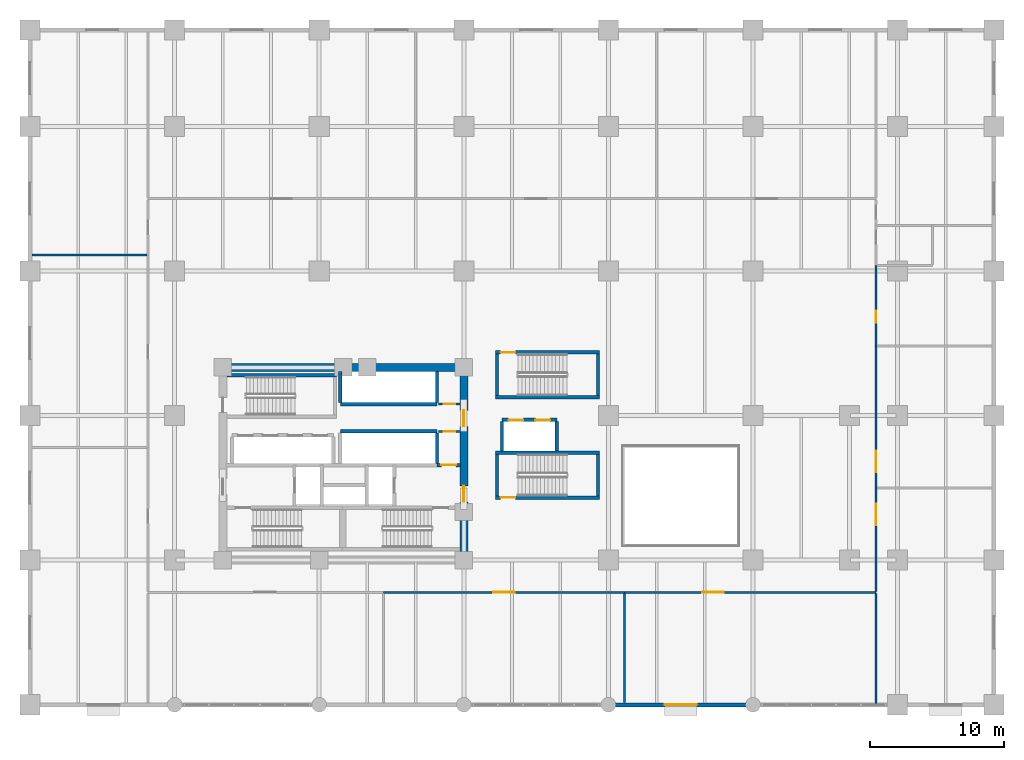
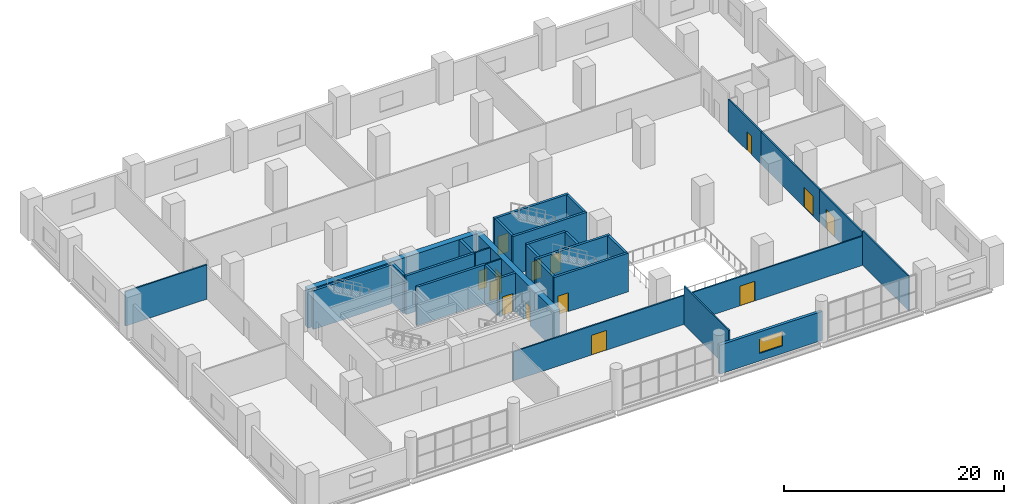
# One storey, part 11 of 16: 31 walls, 14 doors, 1 window, 15 openings.
"""IFC4 building model written with IfcOpenShell, lengths in metres."""

from ifc_helpers import new_model, si_unit, direction, frame, frame_2d, origin, place, context, subcontext, project, spatial, rectangle, extrude, material, layer, layer_set, type_object, element, fill, save


model = new_model("IFC4")

# Units and contexts
model_context = context("Model", 3, precision=1e-05, world=origin(), true_north=direction((0.0, 1.0)))
body_context = subcontext(model_context, "Body", "Model", "MODEL_VIEW")
ifc_project = project(units=[si_unit("LENGTHUNIT", "METRE"), si_unit("AREAUNIT", "SQUARE_METRE"), si_unit("VOLUMEUNIT", "CUBIC_METRE"), si_unit("PLANEANGLEUNIT", "RADIAN"), si_unit("MASSUNIT", "GRAM", prefix="KILO")], contexts=[model_context])

# Site, building, storey
site_placement = place(None, origin())
site = spatial("IfcSite", under=ifc_project, at=site_placement, CompositionType="ELEMENT")
building_placement = place(site_placement, origin())
building = spatial("IfcBuilding", under=site, at=building_placement, Name="Solnavia Interchange Tower", CompositionType="ELEMENT")
storey_placement = place(building_placement, frame((0.0, 0.0, 10.199951171875)))
storey = spatial("IfcBuildingStorey", under=building, at=storey_placement, Name="L02", CompositionType="ELEMENT", Elevation=10.199951171875)

# Wall, opening, window
ifc_material_1 = material(Name="Concrete C40/50", Category="concrete")
ifc_layer_1 = layer(ifc_material_1, 0.300048828125)
ifc_layer_set_1 = layer_set([ifc_layer_1], Name="Concrete C40/50")
wall_type_1 = type_object("IfcWallType", Name="Wall-ExtSpandrel-300", PredefinedType="STANDARD", material=ifc_layer_set_1)
wall_1_placement = place(storey_placement, frame((54.0, 0.0, 0.0), z_axis=(0.0, 0.0, 1.0), x_axis=(-1.0, 0.0, 0.0)))
wall_1 = element("IfcWall", 1, at=wall_1_placement, inside=storey, type_object=wall_type_1, Name="EXW-L02-S05 South podium wall", PredefinedType="STANDARD", context=body_context, shape_type="SweptSolid", body=[
    extrude(rectangle(XDim=10.800048828125, YDim=0.300048828125, at=frame_2d((5.39990234375, 0.0))), origin(), (0.0, 0.0, 1.0), 3.22998046875),
])
opening_1_placement = place(wall_1_placement, frame((4.199951171875, 0.0, 0.85009765625)))
opening_1 = element("IfcOpeningElement", 2, at=opening_1_placement, cuts=wall_1, Name="Opening WIN-06", PredefinedType="OPENING", context=body_context, shape_type="SweptSolid", body=[
    extrude(rectangle(XDim=2.39990234375, YDim=1.60009765625, at=frame_2d((1.199951171875, 0.800048828125))), frame((0.0, 0.16015625, 0.0), z_axis=(0.0, -1.0, 0.0), x_axis=(1.0, 0.0, 0.0)), (0.0, 0.0, 1.0), 0.320068359375),
])
ifc_material_2 = material(Name="Thermal-Break Aluminium & Low-E Glass", Category="aluminium")
window_type = type_object("IfcWindowType", Name="Window-Podium-2400x1600", PartitioningType="SINGLE_PANEL", PredefinedType="WINDOW", material=ifc_material_2)
window_placement = place(opening_1_placement, origin())
window = element("IfcWindow", 3, at=window_placement, inside=storey, type_object=window_type, Name="WIN-L02-S05 South podium window", OverallHeight=1.60009765625, OverallWidth=2.39990234375, PartitioningType="SINGLE_PANEL", PredefinedType="WINDOW", context=body_context, shape_type="SweptSolid", body=[
    extrude(rectangle(XDim=2.39990234375, YDim=1.60009765625, at=frame_2d((1.199951171875, 0.800048828125))), frame((0.0, 0.030029296875, 0.0), z_axis=(0.0, -1.0, 0.0), x_axis=(1.0, 0.0, 0.0)), (0.0, 0.0, 1.0), 0.06005859375),
])
fill(opening_1, window)

# Wall, opening, door
ifc_material_3 = material(Name="Gypsum Plasterboard & Steel Stud", Category="steel")
ifc_layer_2 = layer(ifc_material_3, 0.14990234375)
ifc_layer_set_2 = layer_set([ifc_layer_2], Name="Gypsum Plasterboard & Steel Stud")
wall_type_2 = type_object("IfcWallType", Name="Wall-Partition-150", PredefinedType="PARTITIONING", material=ifc_layer_set_2)
wall_2_placement = place(storey_placement, frame((30.52001953125, 22.4599609375, 0.0), z_axis=(0.0, 0.0, 1.0), x_axis=(1.0, 0.0, 0.0)))
wall_2 = element("IfcWall", 4, at=wall_2_placement, inside=storey, type_object=wall_type_2, Name="CSW-L02-NE-S Core shaft wall", PredefinedType="PARTITIONING", context=body_context, shape_type="SweptSolid", body=[
    extrude(rectangle(XDim=1.6298828125, YDim=0.14990234375, at=frame_2d((0.81494140625, 0.0))), origin(), (0.0, 0.0, 1.0), 4.28515625),
])
opening_2_placement = place(wall_2_placement, frame((0.3798828125, 0.0, 0.0)))
opening_2 = element("IfcOpeningElement", 5, at=opening_2_placement, cuts=wall_2, Name="Opening DR-10", PredefinedType="OPENING", context=body_context, shape_type="SweptSolid", body=[
    extrude(rectangle(XDim=0.85009765625, YDim=2.10009765625, at=frame_2d((0.425048828125, 1.050048828125))), frame((0.0, 0.0849609375, 0.0), z_axis=(0.0, -1.0, 0.0), x_axis=(1.0, 0.0, 0.0)), (0.0, 0.0, 1.0), 0.169921875),
])
ifc_material_4 = material(Name="Moisture-Resistant Timber Door", Category="wood")
door_type_1 = type_object("IfcDoorType", Name="Door-Bathroom-850x2100", OperationType="SINGLE_SWING_RIGHT", PredefinedType="DOOR", material=ifc_material_4)
door_1_placement = place(opening_2_placement, origin())
door_1 = element("IfcDoor", 6, at=door_1_placement, inside=storey, type_object=door_type_1, Name="DR-L02-CNE1 Core fire door", OperationType="SINGLE_SWING_RIGHT", OverallHeight=2.10009765625, OverallWidth=0.85009765625, PredefinedType="DOOR", context=body_context, shape_type="SweptSolid", body=[
    extrude(rectangle(XDim=0.85009765625, YDim=2.10009765625, at=frame_2d((0.425048828125, 1.050048828125))), frame((0.0, 0.02490234375, 0.0), z_axis=(0.0, -1.0, 0.0), x_axis=(1.0, 0.0, 0.0)), (0.0, 0.0, 1.0), 0.050048828125),
])
fill(opening_2, door_1)

wall_3_placement = place(storey_placement, frame((30.52001953125, 20.419921875, 0.0), z_axis=(0.0, 0.0, 1.0), x_axis=(1.0, 0.0, 0.0)))
wall_3 = element("IfcWall", 7, at=wall_3_placement, inside=storey, type_object=wall_type_2, Name="CSW-L02-SE-N Core shaft wall", PredefinedType="PARTITIONING", context=body_context, shape_type="SweptSolid", body=[
    extrude(rectangle(XDim=1.6298828125, YDim=0.14990234375, at=frame_2d((0.81494140625, 0.0))), origin(), (0.0, 0.0, 1.0), 4.28515625),
])
opening_3_placement = place(wall_3_placement, frame((0.3798828125, 0.0, 0.0)))
opening_3 = element("IfcOpeningElement", 8, at=opening_3_placement, cuts=wall_3, Name="Opening DR-10", PredefinedType="OPENING", context=body_context, shape_type="SweptSolid", body=[
    extrude(rectangle(XDim=0.85009765625, YDim=2.10009765625, at=frame_2d((0.425048828125, 1.050048828125))), frame((0.0, 0.0849609375, 0.0), z_axis=(0.0, -1.0, 0.0), x_axis=(1.0, 0.0, 0.0)), (0.0, 0.0, 1.0), 0.169921875),
])
door_2_placement = place(opening_3_placement, origin())
door_2 = element("IfcDoor", 9, at=door_2_placement, inside=storey, type_object=door_type_1, Name="DR-L02-CSE1 Core fire door", OperationType="SINGLE_SWING_LEFT", OverallHeight=2.10009765625, OverallWidth=0.85009765625, PredefinedType="DOOR", context=body_context, shape_type="SweptSolid", body=[
    extrude(rectangle(XDim=0.85009765625, YDim=2.10009765625, at=frame_2d((0.425048828125, 1.050048828125))), frame((0.0, 0.02490234375, 0.0), z_axis=(0.0, -1.0, 0.0), x_axis=(1.0, 0.0, 0.0)), (0.0, 0.0, 1.0), 0.050048828125),
])
fill(opening_3, door_2)

wall_4_placement = place(storey_placement, frame((26.39990234375, 8.39990234375, 0.0), z_axis=(0.0, 0.0, 1.0), x_axis=(1.0, 0.0, 0.0)))
wall_4 = element("IfcWall", 10, at=wall_4_placement, inside=storey, type_object=wall_type_2, Name="PTW-L02-03 Interior partition wall", PredefinedType="PARTITIONING", context=body_context, shape_type="SweptSolid", body=[
    extrude(rectangle(XDim=18.0, YDim=0.14990234375, at=frame_2d((9.0, 0.0))), origin(), (0.0, 0.0, 1.0), 3.22998046875),
])
opening_4_placement = place(wall_4_placement, frame((8.199951171875, 0.0, 0.0)))
opening_4 = element("IfcOpeningElement", 11, at=opening_4_placement, cuts=wall_4, Name="Opening DR-08", PredefinedType="OPENING", context=body_context, shape_type="SweptSolid", body=[
    extrude(rectangle(XDim=1.60009765625, YDim=2.199951171875, at=frame_2d((0.800048828125, 1.10009765625))), frame((0.0, 0.0849609375, 0.0), z_axis=(0.0, -1.0, 0.0), x_axis=(1.0, 0.0, 0.0)), (0.0, 0.0, 1.0), 0.169921875),
])
ifc_material_5 = material(Name="Thermally Broken Aluminium & Toughened Glass", Category="aluminium")
door_type_2 = type_object("IfcDoorType", Name="Door-RetailDouble-1600x2200", OperationType="DOUBLE_DOOR_SINGLE_SWING", PredefinedType="DOOR", material=ifc_material_5)
door_3_placement = place(opening_4_placement, origin())
door_3 = element("IfcDoor", 12, at=door_3_placement, inside=storey, type_object=door_type_2, Name="DR-L02-02 Interior room door", OperationType="DOUBLE_DOOR_SINGLE_SWING", OverallHeight=2.199951171875, OverallWidth=1.60009765625, PredefinedType="DOOR", context=body_context, shape_type="SweptSolid", body=[
    extrude(rectangle(XDim=1.60009765625, YDim=2.199951171875, at=frame_2d((0.800048828125, 1.10009765625))), frame((0.0, 0.02490234375, 0.0), z_axis=(0.0, -1.0, 0.0), x_axis=(1.0, 0.0, 0.0)), (0.0, 0.0, 1.0), 0.050048828125),
])
fill(opening_4, door_3)

# Wall
wall_5_placement = place(storey_placement, frame((44.39990234375, 0.154052734375, 0.0), z_axis=(0.0, 0.0, 1.0), x_axis=(0.0, 1.0, 0.0)))
element("IfcWall", 13, at=wall_5_placement, inside=storey, type_object=wall_type_2, Name="PTW-L02-04 Interior partition wall", PredefinedType="PARTITIONING", context=body_context, shape_type="SweptSolid", body=[
    extrude(rectangle(XDim=8.1669921875, YDim=0.14990234375, at=frame_2d((4.08349609375, 0.0))), origin(), (0.0, 0.0, 1.0), 4.28515625),
])

# Wall, opening, door
wall_6_placement = place(storey_placement, frame((44.39990234375, 8.39990234375, 0.0), z_axis=(0.0, 0.0, 1.0), x_axis=(1.0, 0.0, 0.0)))
wall_6 = element("IfcWall", 14, at=wall_6_placement, inside=storey, type_object=wall_type_2, Name="PTW-L02-05 Interior partition wall", PredefinedType="PARTITIONING", context=body_context, shape_type="SweptSolid", body=[
    extrude(rectangle(XDim=18.800048828125, YDim=0.14990234375, at=frame_2d((9.39990234375, 0.0))), origin(), (0.0, 0.0, 1.0), 3.22998046875),
])
opening_5_placement = place(wall_6_placement, frame((5.806884765625, 0.0, 0.0)))
opening_5 = element("IfcOpeningElement", 15, at=opening_5_placement, cuts=wall_6, Name="Opening DR-08", PredefinedType="OPENING", context=body_context, shape_type="SweptSolid", body=[
    extrude(rectangle(XDim=1.60009765625, YDim=2.199951171875, at=frame_2d((0.800048828125, 1.10009765625))), frame((0.0, 0.0849609375, 0.0), z_axis=(0.0, -1.0, 0.0), x_axis=(1.0, 0.0, 0.0)), (0.0, 0.0, 1.0), 0.169921875),
])
door_4_placement = place(opening_5_placement, origin())
door_4 = element("IfcDoor", 16, at=door_4_placement, inside=storey, type_object=door_type_2, Name="DR-L02-03 Interior room door", OperationType="DOUBLE_DOOR_SINGLE_SWING", OverallHeight=2.199951171875, OverallWidth=1.60009765625, PredefinedType="DOOR", context=body_context, shape_type="SweptSolid", body=[
    extrude(rectangle(XDim=1.60009765625, YDim=2.199951171875, at=frame_2d((0.800048828125, 1.10009765625))), frame((0.0, 0.02490234375, 0.0), z_axis=(0.0, -1.0, 0.0), x_axis=(1.0, 0.0, 0.0)), (0.0, 0.0, 1.0), 0.050048828125),
])
fill(opening_5, door_4)

# Walls
wall_7_placement = place(storey_placement, frame((0.154052734375, 33.60009765625, 0.0), z_axis=(0.0, 0.0, 1.0), x_axis=(1.0, 0.0, 0.0)))
element("IfcWall", 17, at=wall_7_placement, inside=storey, type_object=wall_type_2, Name="PTW-L02-15 Interior partition wall", PredefinedType="PARTITIONING", context=body_context, shape_type="SweptSolid", body=[
    extrude(rectangle(XDim=8.56689453125, YDim=0.14990234375, at=frame_2d((4.283447265625, 0.0))), origin(), (0.0, 0.0, 1.0), 3.830078125),
])
wall_8_placement = place(storey_placement, frame((63.199951171875, 0.0, 0.0), z_axis=(0.0, 0.0, 1.0), x_axis=(0.0, 1.0, 0.0)))
element("IfcWall", 18, at=wall_8_placement, inside=storey, type_object=wall_type_2, Name="PTW-L02-18 Interior partition wall", PredefinedType="PARTITIONING", context=body_context, shape_type="SweptSolid", body=[
    extrude(rectangle(XDim=8.321044921875, YDim=0.14990234375, at=frame_2d((4.16064453125, 0.0))), origin(), (0.0, 0.0, 1.0), 3.830078125),
])

# Wall, opening, door
wall_9_placement = place(storey_placement, frame((63.199951171875, 8.47900390625, 0.0), z_axis=(0.0, 0.0, 1.0), x_axis=(0.0, 1.0, 0.0)))
wall_9 = element("IfcWall", 19, at=wall_9_placement, inside=storey, type_object=wall_type_2, Name="PTW-L02-19 Interior partition wall", PredefinedType="PARTITIONING", context=body_context, shape_type="SweptSolid", body=[
    extrude(rectangle(XDim=7.720947265625, YDim=0.14990234375, at=frame_2d((3.8603515625, 0.0))), origin(), (0.0, 0.0, 1.0), 3.630126953125),
])
opening_6_placement = place(wall_9_placement, frame((4.94091796875, 0.0, 0.0)))
opening_6 = element("IfcOpeningElement", 20, at=opening_6_placement, cuts=wall_9, Name="Opening DR-08", PredefinedType="OPENING", context=body_context, shape_type="SweptSolid", body=[
    extrude(rectangle(XDim=1.60009765625, YDim=2.199951171875, at=frame_2d((0.800048828125, 1.10009765625))), frame((0.0, 0.0849609375, 0.0), z_axis=(0.0, -1.0, 0.0), x_axis=(1.0, 0.0, 0.0)), (0.0, 0.0, 1.0), 0.169921875),
])
door_5_placement = place(opening_6_placement, origin())
door_5 = element("IfcDoor", 21, at=door_5_placement, inside=storey, type_object=door_type_2, Name="DR-L02-10 Interior room door", OperationType="DOUBLE_DOOR_SINGLE_SWING", OverallHeight=2.199951171875, OverallWidth=1.60009765625, PredefinedType="DOOR", context=body_context, shape_type="SweptSolid", body=[
    extrude(rectangle(XDim=1.60009765625, YDim=2.199951171875, at=frame_2d((0.800048828125, 1.10009765625))), frame((0.0, 0.02490234375, 0.0), z_axis=(0.0, -1.0, 0.0), x_axis=(1.0, 0.0, 0.0)), (0.0, 0.0, 1.0), 0.050048828125),
])
fill(opening_6, door_5)

wall_10_placement = place(storey_placement, frame((63.199951171875, 16.199951171875, 0.0), z_axis=(0.0, 0.0, 1.0), x_axis=(0.0, 1.0, 0.0)))
wall_10 = element("IfcWall", 22, at=wall_10_placement, inside=storey, type_object=wall_type_2, Name="PTW-L02-21 Interior partition wall", PredefinedType="PARTITIONING", context=body_context, shape_type="SweptSolid", body=[
    extrude(rectangle(XDim=10.60009765625, YDim=0.14990234375, at=frame_2d((5.300048828125, 0.0))), origin(), (0.0, 0.0, 1.0), 3.630126953125),
])
opening_7_placement = place(wall_10_placement, frame((1.172119140625, 0.0, 0.0)))
opening_7 = element("IfcOpeningElement", 23, at=opening_7_placement, cuts=wall_10, Name="Opening DR-08", PredefinedType="OPENING", context=body_context, shape_type="SweptSolid", body=[
    extrude(rectangle(XDim=1.60009765625, YDim=2.199951171875, at=frame_2d((0.800048828125, 1.10009765625))), frame((0.0, 0.0849609375, 0.0), z_axis=(0.0, -1.0, 0.0), x_axis=(1.0, 0.0, 0.0)), (0.0, 0.0, 1.0), 0.169921875),
])
door_6_placement = place(opening_7_placement, origin())
door_6 = element("IfcDoor", 24, at=door_6_placement, inside=storey, type_object=door_type_2, Name="DR-L02-11 Interior room door", OperationType="DOUBLE_DOOR_SINGLE_SWING", OverallHeight=2.199951171875, OverallWidth=1.60009765625, PredefinedType="DOOR", context=body_context, shape_type="SweptSolid", body=[
    extrude(rectangle(XDim=1.60009765625, YDim=2.199951171875, at=frame_2d((0.800048828125, 1.10009765625))), frame((0.0, 0.02490234375, 0.0), z_axis=(0.0, -1.0, 0.0), x_axis=(1.0, 0.0, 0.0)), (0.0, 0.0, 1.0), 0.050048828125),
])
fill(opening_7, door_6)

# Wall
ifc_layer_3 = layer(ifc_material_1, 0.25)
ifc_layer_set_3 = layer_set([ifc_layer_3], Name="Concrete C40/50")
wall_type_3 = type_object("IfcWallType", Name="Wall-ShaftCore-250", PredefinedType="SHEAR", material=ifc_layer_set_3)
wall_11_placement = place(storey_placement, frame((14.699951171875, 24.614990234375, 0.0), z_axis=(0.0, 0.0, 1.0), x_axis=(1.0, 0.0, 0.0)))
element("IfcWall", 25, at=wall_11_placement, inside=storey, type_object=wall_type_3, Name="SHW-L02-ST3N Core shear wall", PredefinedType="SHEAR", context=body_context, shape_type="SweptSolid", body=[
    extrude(rectangle(XDim=8.199951171875, YDim=0.25, at=frame_2d((4.10009765625, 0.0))), origin(), (0.0, 0.0, 1.0), 4.300048828125),
])

# Wall, opening, door
wall_12_placement = place(storey_placement, frame((34.75, 15.47509765625, 0.0), z_axis=(0.0, 0.0, 1.0), x_axis=(1.0, 0.0, 0.0)))
wall_12 = element("IfcWall", 26, at=wall_12_placement, inside=storey, type_object=wall_type_3, Name="SHW-L02-STP1S Core shear wall", PredefinedType="SHEAR", context=body_context, shape_type="SweptSolid", body=[
    extrude(rectangle(XDim=7.800048828125, YDim=0.25, at=frame_2d((3.89990234375, 0.0))), origin(), (0.0, 0.0, 1.0), 4.300048828125),
])
opening_8_placement = place(wall_12_placement, frame((0.405029296875, 0.0, 0.0)))
opening_8 = element("IfcOpeningElement", 27, at=opening_8_placement, cuts=wall_12, Name="Opening DR-01", PredefinedType="OPENING", context=body_context, shape_type="SweptSolid", body=[
    extrude(rectangle(XDim=1.10009765625, YDim=2.10009765625, at=frame_2d((0.550048828125, 1.050048828125))), frame((0.0, 0.135009765625, 0.0), z_axis=(0.0, -1.0, 0.0), x_axis=(1.0, 0.0, 0.0)), (0.0, 0.0, 1.0), 0.27001953125),
])
ifc_material_6 = material(Name="Steel Fire-Rated Leaf & Frame", Category="steel")
door_type_3 = type_object("IfcDoorType", Name="Door-StairFire-1100x2100", OperationType="SINGLE_SWING_LEFT", PredefinedType="DOOR", material=ifc_material_6)
door_7_placement = place(opening_8_placement, origin())
door_7 = element("IfcDoor", 28, at=door_7_placement, inside=storey, type_object=door_type_3, Name="DR-L02-STP1 Core fire door", OperationType="SINGLE_SWING_LEFT", OverallHeight=2.10009765625, OverallWidth=1.10009765625, PredefinedType="DOOR", context=body_context, shape_type="SweptSolid", body=[
    extrude(rectangle(XDim=1.10009765625, YDim=2.10009765625, at=frame_2d((0.550048828125, 1.050048828125))), frame((0.0, 0.02490234375, 0.0), z_axis=(0.0, -1.0, 0.0), x_axis=(1.0, 0.0, 0.0)), (0.0, 0.0, 1.0), 0.050048828125),
])
fill(opening_8, door_7)

# Walls
wall_13_placement = place(storey_placement, frame((34.75, 18.824951171875, 0.0), z_axis=(0.0, 0.0, 1.0), x_axis=(1.0, 0.0, 0.0)))
element("IfcWall", 29, at=wall_13_placement, inside=storey, type_object=wall_type_3, Name="SHW-L02-STP1N Core shear wall", PredefinedType="SHEAR", context=body_context, shape_type="SweptSolid", body=[
    extrude(rectangle(XDim=7.800048828125, YDim=0.25, at=frame_2d((3.89990234375, 0.0))), origin(), (0.0, 0.0, 1.0), 4.300048828125),
])
for number, where, z_axis, x_axis, name in (
    (30, (34.875, 15.60009765625, 0.0), (0.0, 0.0, 1.0), (0.0, 1.0, 0.0), "SHW-L02-STP1W Core shear wall"),
    (31, (42.425048828125, 15.60009765625, 0.0), (0.0, 0.0, 1.0), (0.0, 1.0, 0.0), "SHW-L02-STP1E Core shear wall"),
):
    element("IfcWall", number, at=place(storey_placement, frame(where, z_axis=z_axis, x_axis=x_axis)), inside=storey, type_object=wall_type_3, Name=name, PredefinedType="SHEAR", context=body_context, shape_type="SweptSolid", body=[
        extrude(rectangle(XDim=3.099853515625, YDim=0.25, at=frame_2d((1.5498046875, 0.0))), origin(), (0.0, 0.0, 1.0), 4.300048828125),
    ])
wall_14_placement = place(storey_placement, frame((34.75, 22.97509765625, 0.0), z_axis=(0.0, 0.0, 1.0), x_axis=(1.0, 0.0, 0.0)))
element("IfcWall", 32, at=wall_14_placement, inside=storey, type_object=wall_type_3, Name="SHW-L02-STP2S Core shear wall", PredefinedType="SHEAR", context=body_context, shape_type="SweptSolid", body=[
    extrude(rectangle(XDim=7.800048828125, YDim=0.25, at=frame_2d((3.89990234375, 0.0))), origin(), (0.0, 0.0, 1.0), 4.300048828125),
])

# Wall, opening, door
wall_15_placement = place(storey_placement, frame((34.75, 26.324951171875, 0.0), z_axis=(0.0, 0.0, 1.0), x_axis=(1.0, 0.0, 0.0)))
wall_15 = element("IfcWall", 33, at=wall_15_placement, inside=storey, type_object=wall_type_3, Name="SHW-L02-STP2N Core shear wall", PredefinedType="SHEAR", context=body_context, shape_type="SweptSolid", body=[
    extrude(rectangle(XDim=7.800048828125, YDim=0.25, at=frame_2d((3.89990234375, 0.0))), origin(), (0.0, 0.0, 1.0), 4.300048828125),
])
opening_9_placement = place(wall_15_placement, frame((0.405029296875, 0.0, 0.0)))
opening_9 = element("IfcOpeningElement", 34, at=opening_9_placement, cuts=wall_15, Name="Opening DR-01", PredefinedType="OPENING", context=body_context, shape_type="SweptSolid", body=[
    extrude(rectangle(XDim=1.10009765625, YDim=2.10009765625, at=frame_2d((0.550048828125, 1.050048828125))), frame((0.0, 0.135009765625, 0.0), z_axis=(0.0, -1.0, 0.0), x_axis=(1.0, 0.0, 0.0)), (0.0, 0.0, 1.0), 0.27001953125),
])
door_8_placement = place(opening_9_placement, origin())
door_8 = element("IfcDoor", 35, at=door_8_placement, inside=storey, type_object=door_type_3, Name="DR-L02-STP2 Core fire door", OperationType="SINGLE_SWING_RIGHT", OverallHeight=2.10009765625, OverallWidth=1.10009765625, PredefinedType="DOOR", context=body_context, shape_type="SweptSolid", body=[
    extrude(rectangle(XDim=1.10009765625, YDim=2.10009765625, at=frame_2d((0.550048828125, 1.050048828125))), frame((0.0, 0.02490234375, 0.0), z_axis=(0.0, -1.0, 0.0), x_axis=(1.0, 0.0, 0.0)), (0.0, 0.0, 1.0), 0.050048828125),
])
fill(opening_9, door_8)

# Walls
for number, where, z_axis, x_axis, name in (
    (36, (34.875, 23.10009765625, 0.0), (0.0, 0.0, 1.0), (0.0, 1.0, 0.0), "SHW-L02-STP2W Core shear wall"),
    (37, (42.425048828125, 23.10009765625, 0.0), (0.0, 0.0, 1.0), (0.0, 1.0, 0.0), "SHW-L02-STP2E Core shear wall"),
):
    element("IfcWall", number, at=place(storey_placement, frame(where, z_axis=z_axis, x_axis=x_axis)), inside=storey, type_object=wall_type_3, Name=name, PredefinedType="SHEAR", context=body_context, shape_type="SweptSolid", body=[
        extrude(rectangle(XDim=3.099853515625, YDim=0.25, at=frame_2d((1.5498046875, 0.0))), origin(), (0.0, 0.0, 1.0), 4.300048828125),
    ])

# Wall, opening, door
ifc_layer_4 = layer(ifc_material_1, 0.25)
ifc_layer_set_4 = layer_set([ifc_layer_4], Name="Concrete C40/50")
wall_type_4 = type_object("IfcWallType", Name="Wall-ShaftPart-250", PredefinedType="PARTITIONING", material=ifc_layer_set_4)
wall_16_placement = place(storey_placement, frame((30.39990234375, 17.89990234375, 0.0), z_axis=(0.0, 0.0, 1.0), x_axis=(1.0, 0.0, 0.0)))
wall_16 = element("IfcWall", 38, at=wall_16_placement, inside=storey, type_object=wall_type_4, Name="SHW-L02-FFLE-N2 Core shaft wall", PredefinedType="PARTITIONING", context=body_context, shape_type="SweptSolid", body=[
    extrude(rectangle(XDim=1.75, YDim=0.25, at=frame_2d((0.875, 0.0))), origin(), (0.0, 0.0, 1.0), 4.28515625),
])
opening_10_placement = place(wall_16_placement, frame((0.320068359375, 0.0, 0.0)))
opening_10 = element("IfcOpeningElement", 39, at=opening_10_placement, cuts=wall_16, Name="Opening DR-01", PredefinedType="OPENING", context=body_context, shape_type="SweptSolid", body=[
    extrude(rectangle(XDim=1.10009765625, YDim=2.10009765625, at=frame_2d((0.550048828125, 1.050048828125))), frame((0.0, 0.135009765625, 0.0), z_axis=(0.0, -1.0, 0.0), x_axis=(1.0, 0.0, 0.0)), (0.0, 0.0, 1.0), 0.27001953125),
])
door_9_placement = place(opening_10_placement, origin())
door_9 = element("IfcDoor", 40, at=door_9_placement, inside=storey, type_object=door_type_3, Name="DR-L02-LLC Core fire door", OperationType="SINGLE_SWING_LEFT", OverallHeight=2.10009765625, OverallWidth=1.10009765625, PredefinedType="DOOR", context=body_context, shape_type="SweptSolid", body=[
    extrude(rectangle(XDim=1.10009765625, YDim=2.10009765625, at=frame_2d((0.550048828125, 1.050048828125))), frame((0.0, 0.02490234375, 0.0), z_axis=(0.0, -1.0, 0.0), x_axis=(1.0, 0.0, 0.0)), (0.0, 0.0, 1.0), 0.050048828125),
])
fill(opening_10, door_9)

# Walls
wall_17_placement = place(storey_placement, frame((23.179931640625, 20.419921875, 0.0), z_axis=(0.0, 0.0, 1.0), x_axis=(1.0, 0.0, 0.0)))
element("IfcWall", 41, at=wall_17_placement, inside=storey, type_object=wall_type_4, Name="SHW-L02-B2N Core shaft wall", PredefinedType="PARTITIONING", context=body_context, shape_type="SweptSolid", body=[
    extrude(rectangle(XDim=7.219970703125, YDim=0.25, at=frame_2d((3.60986328125, 0.0))), origin(), (0.0, 0.0, 1.0), 4.28515625),
])
wall_18_placement = place(storey_placement, frame((30.39990234375, 18.02490234375, 0.0), z_axis=(0.0, 0.0, 1.0), x_axis=(0.0, 1.0, 0.0)))
element("IfcWall", 42, at=wall_18_placement, inside=storey, type_object=wall_type_4, Name="SHW-L02-B2E Core shaft wall", PredefinedType="PARTITIONING", context=body_context, shape_type="SweptSolid", body=[
    extrude(rectangle(XDim=2.27001953125, YDim=0.25, at=frame_2d((1.135009765625, 0.0))), origin(), (0.0, 0.0, 1.0), 4.28515625),
])
wall_19_placement = place(storey_placement, frame((23.179931640625, 22.4599609375, 0.0), z_axis=(0.0, 0.0, 1.0), x_axis=(1.0, 0.0, 0.0)))
element("IfcWall", 43, at=wall_19_placement, inside=storey, type_object=wall_type_4, Name="SHW-L02-B3S Core shaft wall", PredefinedType="PARTITIONING", context=body_context, shape_type="SweptSolid", body=[
    extrude(rectangle(XDim=7.219970703125, YDim=0.25, at=frame_2d((3.60986328125, 0.0))), origin(), (0.0, 0.0, 1.0), 4.28515625),
])
for number, where, z_axis, x_axis, name in (
    (44, (23.179931640625, 22.5849609375, 0.0), (0.0, 0.0, 1.0), (0.0, 1.0, 0.0), "SHW-L02-B3W Core shaft wall"),
    (45, (30.39990234375, 22.5849609375, 0.0), (0.0, 0.0, 1.0), (0.0, 1.0, 0.0), "SHW-L02-B3E Core shaft wall"),
):
    element("IfcWall", number, at=place(storey_placement, frame(where, z_axis=z_axis, x_axis=x_axis)), inside=storey, type_object=wall_type_4, Name=name, PredefinedType="PARTITIONING", context=body_context, shape_type="SweptSolid", body=[
        extrude(rectangle(XDim=2.31494140625, YDim=0.25, at=frame_2d((1.157470703125, 0.0))), origin(), (0.0, 0.0, 1.0), 4.28515625),
    ])

# Wall, openings, doors
wall_20_placement = place(storey_placement, frame((35.25, 21.280029296875, 0.0), z_axis=(0.0, 0.0, 1.0), x_axis=(1.0, 0.0, 0.0)))
wall_20 = element("IfcWall", 46, at=wall_20_placement, inside=storey, type_object=wall_type_4, Name="SHW-L02-PLN Core shaft wall", PredefinedType="PARTITIONING", context=body_context, shape_type="SweptSolid", body=[
    extrude(rectangle(XDim=4.10009765625, YDim=0.25, at=frame_2d((2.050048828125, 0.0))), origin(), (0.0, 0.0, 1.0), 4.28515625),
])
opening_11_placement = place(wall_20_placement, frame((0.5, 0.0, 0.0)))
opening_11 = element("IfcOpeningElement", 47, at=opening_11_placement, cuts=wall_20, Name="Opening LD-01", PredefinedType="OPENING", context=body_context, shape_type="SweptSolid", body=[
    extrude(rectangle(XDim=1.10009765625, YDim=2.10009765625, at=frame_2d((0.550048828125, 1.050048828125))), frame((0.0, 0.135009765625, 0.0), z_axis=(0.0, -1.0, 0.0), x_axis=(1.0, 0.0, 0.0)), (0.0, 0.0, 1.0), 0.27001953125),
])
opening_12_placement = place(wall_20_placement, frame((2.5, 0.0, 0.0)))
opening_12 = element("IfcOpeningElement", 48, at=opening_12_placement, cuts=wall_20, Name="Opening LD-01", PredefinedType="OPENING", context=body_context, shape_type="SweptSolid", body=[
    extrude(rectangle(XDim=1.10009765625, YDim=2.10009765625, at=frame_2d((0.550048828125, 1.050048828125))), frame((0.0, 0.135009765625, 0.0), z_axis=(0.0, -1.0, 0.0), x_axis=(1.0, 0.0, 0.0)), (0.0, 0.0, 1.0), 0.27001953125),
])
ifc_material_7 = material(Name="Brushed Stainless Steel Sliding Door", Category="steel")
door_type_4 = type_object("IfcDoorType", Name="Door-LiftLanding-1100x2100", OperationType="SLIDING_TO_LEFT", PredefinedType="DOOR", material=ifc_material_7)
door_10_placement = place(opening_11_placement, origin())
door_10 = element("IfcDoor", 49, at=door_10_placement, inside=storey, type_object=door_type_4, Name="LD-L02-PL-1 Lift landing sliding door", OperationType="SLIDING_TO_LEFT", OverallHeight=2.10009765625, OverallWidth=1.10009765625, PredefinedType="DOOR", context=body_context, shape_type="SweptSolid", body=[
    extrude(rectangle(XDim=1.10009765625, YDim=2.10009765625, at=frame_2d((0.550048828125, 1.050048828125))), frame((0.0, 0.02490234375, 0.0), z_axis=(0.0, -1.0, 0.0), x_axis=(1.0, 0.0, 0.0)), (0.0, 0.0, 1.0), 0.050048828125),
])
fill(opening_11, door_10)
door_11_placement = place(opening_12_placement, origin())
door_11 = element("IfcDoor", 50, at=door_11_placement, inside=storey, type_object=door_type_4, Name="LD-L02-PL-2 Lift landing sliding door", OperationType="SLIDING_TO_LEFT", OverallHeight=2.10009765625, OverallWidth=1.10009765625, PredefinedType="DOOR", context=body_context, shape_type="SweptSolid", body=[
    extrude(rectangle(XDim=1.10009765625, YDim=2.10009765625, at=frame_2d((0.550048828125, 1.050048828125))), frame((0.0, 0.02490234375, 0.0), z_axis=(0.0, -1.0, 0.0), x_axis=(1.0, 0.0, 0.0)), (0.0, 0.0, 1.0), 0.050048828125),
])
fill(opening_12, door_11)

# Walls
for number, where, z_axis, x_axis, name in (
    (51, (35.25, 18.949951171875, 0.0), (0.0, 0.0, 1.0), (0.0, 1.0, 0.0), "SHW-L02-PLW Core shaft wall"),
    (52, (39.35009765625, 18.949951171875, 0.0), (0.0, 0.0, 1.0), (0.0, 1.0, 0.0), "SHW-L02-PLE Core shaft wall"),
):
    element("IfcWall", number, at=place(storey_placement, frame(where, z_axis=z_axis, x_axis=x_axis)), inside=storey, type_object=wall_type_4, Name=name, PredefinedType="PARTITIONING", context=body_context, shape_type="SweptSolid", body=[
        extrude(rectangle(XDim=2.205078125, YDim=0.25, at=frame_2d((1.1025390625, 0.0))), origin(), (0.0, 0.0, 1.0), 4.28515625),
    ])
ifc_material_8 = material(Name="Concrete C60/75", Category="concrete")
ifc_layer_5 = layer(ifc_material_8, 0.60009765625)
ifc_layer_set_5 = layer_set([ifc_layer_5], Name="Concrete C60/75")
wall_type_5 = type_object("IfcWallType", Name="Wall-ShearCore-600", PredefinedType="SHEAR", material=ifc_layer_set_5)
wall_21_placement = place(storey_placement, frame((14.39990234375, 25.199951171875, 0.0), z_axis=(0.0, 0.0, 1.0), x_axis=(1.0, 0.0, 0.0)))
element("IfcWall", 53, at=wall_21_placement, inside=storey, type_object=wall_type_5, Name="CRW-L02-N Core shear wall", PredefinedType="SHEAR", context=body_context, shape_type="SweptSolid", body=[
    extrude(rectangle(XDim=18.0, YDim=0.60009765625, at=frame_2d((9.0, 0.0))), origin(), (0.0, 0.0, 1.0), 4.300048828125),
])

# Wall, openings, doors
wall_22_placement = place(storey_placement, frame((32.39990234375, 10.800048828125, 0.0), z_axis=(0.0, 0.0, 1.0), x_axis=(0.0, 1.0, 0.0)))
wall_22 = element("IfcWall", 54, at=wall_22_placement, inside=storey, type_object=wall_type_5, Name="CRW-L02-E Core shear wall", PredefinedType="SHEAR", context=body_context, shape_type="SweptSolid", body=[
    extrude(rectangle(XDim=14.39990234375, YDim=0.60009765625, at=frame_2d((7.199951171875, 0.0))), origin(), (0.0, 0.0, 1.0), 4.300048828125),
])
opening_13_placement = place(wall_22_placement, frame((4.35009765625, 0.0, 0.0)))
opening_13 = element("IfcOpeningElement", 55, at=opening_13_placement, cuts=wall_22, Name="Opening DR-02", PredefinedType="OPENING", context=body_context, shape_type="SweptSolid", body=[
    extrude(rectangle(XDim=1.199951171875, YDim=2.10009765625, at=frame_2d((0.60009765625, 1.050048828125))), frame((0.0, 0.31005859375, 0.0), z_axis=(0.0, -1.0, 0.0), x_axis=(1.0, 0.0, 0.0)), (0.0, 0.0, 1.0), 0.6201171875),
])
opening_14_placement = place(wall_22_placement, frame((10.0, 0.0, 0.0)))
opening_14 = element("IfcOpeningElement", 56, at=opening_14_placement, cuts=wall_22, Name="Opening DR-02", PredefinedType="OPENING", context=body_context, shape_type="SweptSolid", body=[
    extrude(rectangle(XDim=1.199951171875, YDim=2.10009765625, at=frame_2d((0.60009765625, 1.050048828125))), frame((0.0, 0.31005859375, 0.0), z_axis=(0.0, -1.0, 0.0), x_axis=(1.0, 0.0, 0.0)), (0.0, 0.0, 1.0), 0.6201171875),
])
ifc_material_9 = material(Name="Steel Fire-Rated Vision-Panel Door", Category="steel")
door_type_5 = type_object("IfcDoorType", Name="Door-LobbyFire-1200x2100", OperationType="SINGLE_SWING_RIGHT", PredefinedType="DOOR", material=ifc_material_9)
door_12_placement = place(opening_13_placement, origin())
door_12 = element("IfcDoor", 57, at=door_12_placement, inside=storey, type_object=door_type_5, Name="DR-L02-FFL2E Core fire door", OperationType="SINGLE_SWING_LEFT", OverallHeight=2.10009765625, OverallWidth=1.199951171875, PredefinedType="DOOR", context=body_context, shape_type="SweptSolid", body=[
    extrude(rectangle(XDim=1.199951171875, YDim=2.10009765625, at=frame_2d((0.60009765625, 1.050048828125))), frame((0.0, 0.02490234375, 0.0), z_axis=(0.0, -1.0, 0.0), x_axis=(1.0, 0.0, 0.0)), (0.0, 0.0, 1.0), 0.050048828125),
])
fill(opening_13, door_12)
door_13_placement = place(opening_14_placement, origin())
door_13 = element("IfcDoor", 58, at=door_13_placement, inside=storey, type_object=door_type_5, Name="DR-L02-LLE Core fire door", OperationType="SINGLE_SWING_RIGHT", OverallHeight=2.10009765625, OverallWidth=1.199951171875, PredefinedType="DOOR", context=body_context, shape_type="SweptSolid", body=[
    extrude(rectangle(XDim=1.199951171875, YDim=2.10009765625, at=frame_2d((0.60009765625, 1.050048828125))), frame((0.0, 0.02490234375, 0.0), z_axis=(0.0, -1.0, 0.0), x_axis=(1.0, 0.0, 0.0)), (0.0, 0.0, 1.0), 0.050048828125),
])
fill(opening_14, door_13)

# Wall, opening, door
ifc_material_10 = material(Name="Moisture-Resistant Gypsum & Steel Stud", Category="steel")
ifc_layer_6 = layer(ifc_material_10, 0.14990234375)
ifc_layer_set_6 = layer_set([ifc_layer_6], Name="Moisture-Resistant Gypsum & Steel Stud")
wall_type_6 = type_object("IfcWallType", Name="Wall-WetRoom-150", PredefinedType="PARTITIONING", material=ifc_layer_set_6)
wall_23_placement = place(storey_placement, frame((63.199951171875, 26.800048828125, 0.0), z_axis=(0.0, 0.0, 1.0), x_axis=(0.0, 1.0, 0.0)))
wall_23 = element("IfcWall", 59, at=wall_23_placement, inside=storey, type_object=wall_type_6, Name="PTW-L02-23 Interior partition wall", PredefinedType="PARTITIONING", context=body_context, shape_type="SweptSolid", body=[
    extrude(rectangle(XDim=6.0, YDim=0.14990234375, at=frame_2d((3.0, 0.0))), origin(), (0.0, 0.0, 1.0), 3.630126953125),
])
opening_15_placement = place(wall_23_placement, frame((1.720947265625, 0.0, 0.0)))
opening_15 = element("IfcOpeningElement", 60, at=opening_15_placement, cuts=wall_23, Name="Opening DR-09", PredefinedType="OPENING", context=body_context, shape_type="SweptSolid", body=[
    extrude(rectangle(XDim=0.89990234375, YDim=2.10009765625, at=frame_2d((0.449951171875, 1.050048828125))), frame((0.0, 0.0849609375, 0.0), z_axis=(0.0, -1.0, 0.0), x_axis=(1.0, 0.0, 0.0)), (0.0, 0.0, 1.0), 0.169921875),
])
ifc_material_11 = material(Name="Engineered Oak Veneer Door", Category="wood")
door_type_6 = type_object("IfcDoorType", Name="Door-Internal-900x2100", OperationType="SINGLE_SWING_LEFT", PredefinedType="DOOR", material=ifc_material_11)
door_14_placement = place(opening_15_placement, origin())
door_14 = element("IfcDoor", 61, at=door_14_placement, inside=storey, type_object=door_type_6, Name="DR-L02-12 Interior room door", OperationType="SINGLE_SWING_LEFT", OverallHeight=2.10009765625, OverallWidth=0.89990234375, PredefinedType="DOOR", context=body_context, shape_type="SweptSolid", body=[
    extrude(rectangle(XDim=0.89990234375, YDim=2.10009765625, at=frame_2d((0.449951171875, 1.050048828125))), frame((0.0, 0.02490234375, 0.0), z_axis=(0.0, -1.0, 0.0), x_axis=(1.0, 0.0, 0.0)), (0.0, 0.0, 1.0), 0.050048828125),
])
fill(opening_15, door_14)

save(model, "model.ifc")
